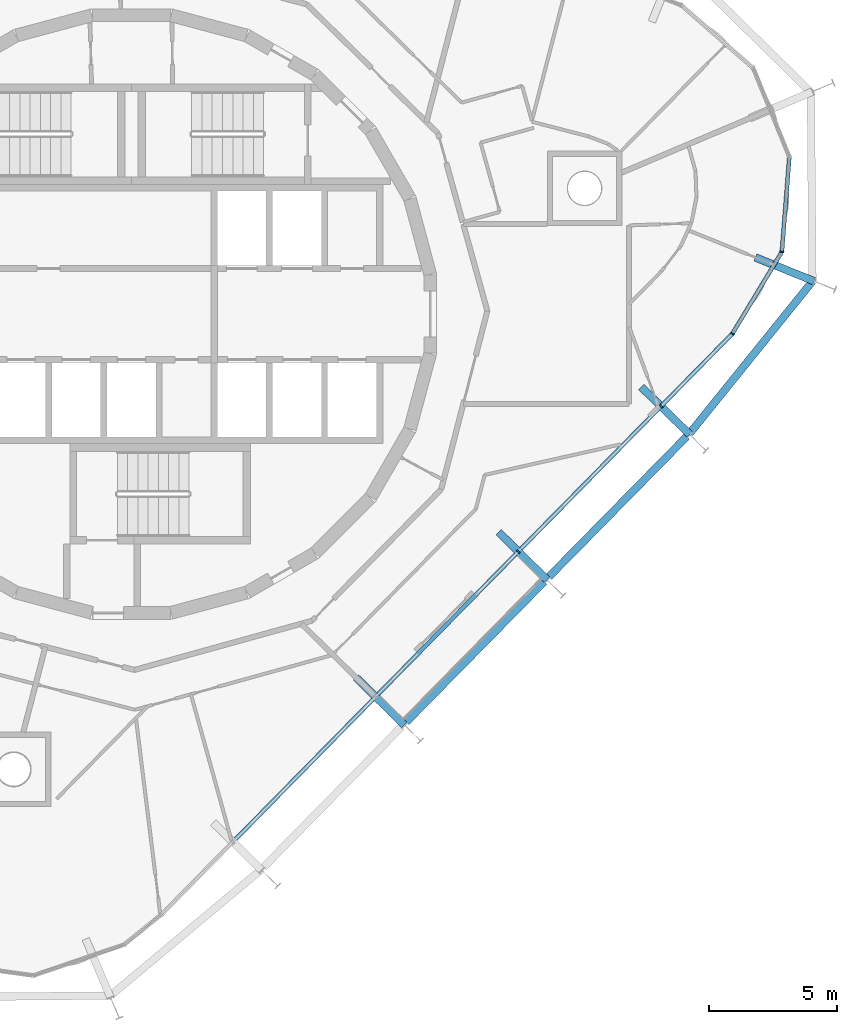
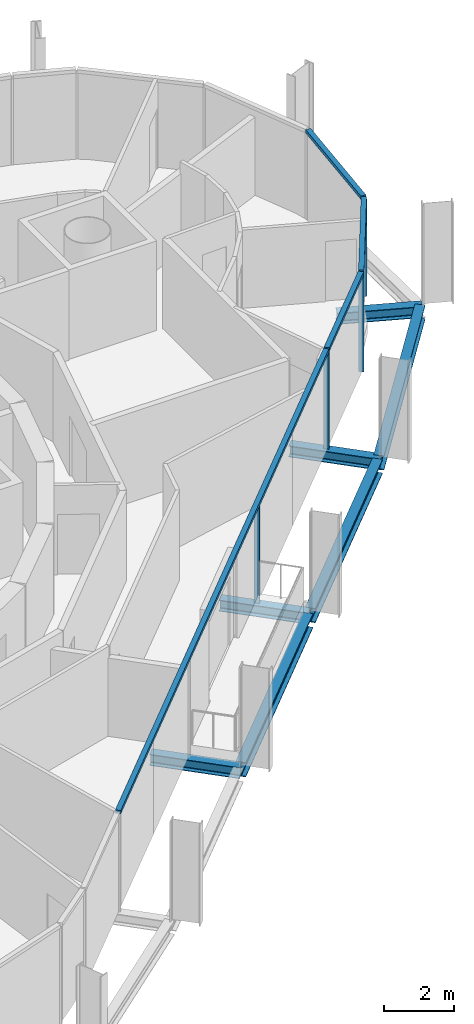
# One storey, part 4 of 15: 8 members, 7 beams, 2 elements without a shape of their own.
"""IFC4 building model written with IfcOpenShell, lengths in metres."""

from ifc_helpers import new_model, si_unit, direction, frame, origin, origin_2d, place, context, subcontext, project, spatial, rectangle, i_section, extrude, material, layer, layer_set, material_profile, profile_set, type_object, element, aggregate, save


model = new_model("IFC4")

# Units and contexts
model_context = context("Model", 3, precision=1e-05, world=origin(), true_north=direction((0.0, 1.0)))
body_context = subcontext(model_context, "Body", "Model", "MODEL_VIEW")
ifc_project = project(units=[si_unit("LENGTHUNIT", "METRE"), si_unit("AREAUNIT", "SQUARE_METRE"), si_unit("VOLUMEUNIT", "CUBIC_METRE"), si_unit("PLANEANGLEUNIT", "RADIAN"), si_unit("MASSUNIT", "GRAM", prefix="KILO")], contexts=[model_context])

# Site, building, storey
site_placement = place(None, origin())
site = spatial("IfcSite", under=ifc_project, at=site_placement, CompositionType="ELEMENT")
building_placement = place(site_placement, origin())
building = spatial("IfcBuilding", under=site, at=building_placement, Name="Spindle Arch Residences", CompositionType="ELEMENT")
storey_placement = place(building_placement, frame((0.0, 0.0, 315.699951171875)))
storey = spatial("IfcBuildingStorey", under=building, at=storey_placement, Name="L81", CompositionType="ELEMENT", Elevation=315.699951171875)

# Curtain wall, members
ifc_material_1 = material(Name="Aluminium bronze unitised frame with tinted glass", Category="aluminium")
ifc_layer_1 = layer(ifc_material_1, 0.159912109375)
ifc_layer_set_1 = layer_set([ifc_layer_1], Name="CW-D corner wall on the fillet arcs")
curtain_wall_type_1 = type_object("IfcCurtainWallType", Name="CW-D corner wall on the fillet arcs", PredefinedType="NOTDEFINED", material=ifc_layer_set_1)
curtain_wall_1_placement = place(storey_placement, origin())
curtain_wall_1 = element("IfcCurtainWall", 1, at=curtain_wall_1_placement, inside=storey, type_object=curtain_wall_type_1, Name="CW-D L81 run 1", PredefinedType="NOTDEFINED")
ifc_material_2 = material(Name="Aluminium bronze anodised mullion", Category="aluminium")
ifc_material_profile_1 = material_profile(ifc_material_2, rectangle(XDim=0.159912109375, YDim=0.06005859375, at=origin_2d()), Name="MU 60x160")
ifc_profile_set_1 = profile_set([ifc_material_profile_1], Name="Aluminium bronze anodised mullion")
member_type_1 = type_object("IfcMemberType", Name="Bronze mullion 60x160", PredefinedType="MULLION", material=ifc_profile_set_1)
member_1_placement = place(storey_placement, frame((20.642333984375, -3.597412109375, -0.3798828125), z_axis=(0.0, 0.0, 1.0), x_axis=(-0.713250449154, 0.7009092643, 0.0)))
member_1 = element("IfcMember", 2, at=member_1_placement, type_object=member_type_1, Name="CW-D mullion 00", PredefinedType="MULLION", context=body_context, shape_type="SweptSolid", body=[
    extrude(rectangle(XDim=0.159912109375, YDim=0.06005859375, at=origin_2d()), origin(), (0.0, 0.0, 1.0), 3.3798828125),
])
member_2_placement = place(storey_placement, frame((23.42578125, -0.76513671875, -0.3798828125), z_axis=(0.0, 0.0, 1.0), x_axis=(-0.855665492936, 0.517529288252, 0.0)))
member_2 = element("IfcMember", 3, at=member_2_placement, type_object=member_type_1, Name="CW-D mullion 01", PredefinedType="MULLION", context=body_context, shape_type="SweptSolid", body=[
    extrude(rectangle(XDim=0.159912109375, YDim=0.06005859375, at=origin_2d()), origin(), (0.0, 0.0, 1.0), 3.3798828125),
])
member_3_placement = place(storey_placement, frame((25.3544921875, 2.423828125, -0.3798828125), z_axis=(0.0, 0.0, 1.0), x_axis=(-0.996917334032, 0.078459091935, 0.0)))
member_3 = element("IfcMember", 4, at=member_3_placement, type_object=member_type_1, Name="CW-D mullion 02", PredefinedType="MULLION", context=body_context, shape_type="SweptSolid", body=[
    extrude(rectangle(XDim=0.159912109375, YDim=0.06005859375, at=origin_2d()), origin(), (0.0, 0.0, 1.0), 3.3798828125),
])

# Curtain wall, member
ifc_material_3 = material(Name="Aluminium bronze unitised frame with tinted glass", Category="aluminium")
ifc_layer_2 = layer(ifc_material_3, 0.159912109375)
ifc_layer_set_2 = layer_set([ifc_layer_2], Name="CW-C typical residential unitised wall")
curtain_wall_type_2 = type_object("IfcCurtainWallType", Name="CW-C typical residential unitised wall", PredefinedType="NOTDEFINED", material=ifc_layer_set_2)
curtain_wall_2_placement = place(storey_placement, origin())
curtain_wall_2 = element("IfcCurtainWall", 5, at=curtain_wall_2_placement, inside=storey, type_object=curtain_wall_type_2, Name="CW-C L81 run 6", PredefinedType="NOTDEFINED")
member_4_placement = place(storey_placement, frame((15.08056640625, -9.257080078125, -0.3798828125), z_axis=(0.0, 0.0, 1.0), x_axis=(-0.713250449154, 0.7009092643, 0.0)))
member_4 = element("IfcMember", 6, at=member_4_placement, type_object=member_type_1, Name="CW-C mullion 00", PredefinedType="MULLION", context=body_context, shape_type="SweptSolid", body=[
    extrude(rectangle(XDim=0.159912109375, YDim=0.06005859375, at=origin_2d()), origin(), (0.0, 0.0, 1.0), 3.3798828125),
])

# Member
ifc_material_4 = material(Name="Aluminium bronze anodised transom", Category="aluminium")
ifc_material_profile_2 = material_profile(ifc_material_4, rectangle(XDim=0.159912109375, YDim=0.1201171875, at=origin_2d()), Name="TR 120x160")
ifc_profile_set_2 = profile_set([ifc_material_profile_2], Name="Aluminium bronze anodised transom")
member_type_2 = type_object("IfcMemberType", Name="Bronze transom 120x160", PredefinedType="USERDEFINED", material=ifc_profile_set_2)
member_5_placement = place(storey_placement, frame((20.663330078125, -3.575927734375, 3.06005859375), z_axis=(0.70089977121, 0.713259777863, 0.0), x_axis=(-0.713259777863, 0.70089977121, 0.0)))
member_5 = element("IfcMember", 7, at=member_5_placement, type_object=member_type_2, Name="CW-D transom 00", ObjectType="TRANSOM", PredefinedType="USERDEFINED", context=body_context, shape_type="SweptSolid", body=[
    extrude(rectangle(XDim=0.159912109375, YDim=0.1201171875, at=origin_2d()), origin(), (0.0, 0.0, 1.0), 3.910888671875),
])

member_6_placement = place(storey_placement, frame((23.441162109375, -0.739501953125, 3.06005859375), z_axis=(0.517517977751, 0.855672333726, 0.0), x_axis=(-0.855672333726, 0.517517977751, 0.0)))
member_6 = element("IfcMember", 8, at=member_6_placement, type_object=member_type_2, Name="CW-D transom 01", ObjectType="TRANSOM", PredefinedType="USERDEFINED", context=body_context, shape_type="SweptSolid", body=[
    extrude(rectangle(XDim=0.159912109375, YDim=0.1201171875, at=origin_2d()), origin(), (0.0, 0.0, 1.0), 3.6669921875),
])

member_7_placement = place(storey_placement, frame((25.356689453125, 2.45361328125, 3.06005859375), z_axis=(0.078498754798, 0.996914211703, 0.0), x_axis=(-0.996914211703, 0.078498754798, 0.0)))
member_7 = element("IfcMember", 9, at=member_7_placement, type_object=member_type_2, Name="CW-D transom 02", ObjectType="TRANSOM", PredefinedType="USERDEFINED", context=body_context, shape_type="SweptSolid", body=[
    extrude(rectangle(XDim=0.159912109375, YDim=0.1201171875, at=origin_2d()), origin(), (0.0, 0.0, 1.0), 3.666748046875),
])

aggregate(curtain_wall_1, [member_1, member_5, member_2, member_6, member_3, member_7])

member_8_placement = place(storey_placement, frame((3.97802734375, -20.55517578125, 3.06005859375), z_axis=(0.700905736119, 0.71325391627, 0.0), x_axis=(-0.71325391627, 0.700905736119, 0.0)))
member_8 = element("IfcMember", 10, at=member_8_placement, type_object=member_type_2, Name="CW-C transom 00", ObjectType="TRANSOM", PredefinedType="USERDEFINED", context=body_context, shape_type="SweptSolid", body=[
    extrude(rectangle(XDim=0.159912109375, YDim=0.1201171875, at=origin_2d()), origin(), (0.0, 0.0, 1.0), 23.745361328125),
])

aggregate(curtain_wall_2, [member_8, member_4])

# Beams
ifc_material_5 = material(Name="Steel S460ML, intumescent coating R 120", Category="steel")
ifc_material_profile_3 = material_profile(ifc_material_5, i_section(OverallWidth=0.300048828125, OverallDepth=0.5, WebThickness=0.014404296875, FlangeThickness=0.028076171875, FilletRadius=0.027099609375, at=origin_2d()), Name="HEB 500")
ifc_profile_set_3 = profile_set([ifc_material_profile_3], Name="Steel S460ML, intumescent coating R 120")
beam_type_1 = type_object("IfcBeamType", Name="Exoskeleton edge beam HEB 500", PredefinedType="BEAM", material=ifc_profile_set_3)
beam_1_placement = place(storey_placement, frame((16.270263671875, -10.24365234375, -0.6298828125), z_axis=(0.700908648812, 0.713251053992, 0.0), x_axis=(-0.713251053992, 0.700908648812, 0.0)))
element("IfcBeam", 11, at=beam_1_placement, inside=storey, type_object=beam_type_1, Name="Exoskeleton edge beam 1", PredefinedType="BEAM", context=body_context, shape_type="SweptSolid", body=[
    extrude(i_section(OverallWidth=0.300048828125, OverallDepth=0.5, WebThickness=0.014404296875, FlangeThickness=0.028076171875, FilletRadius=0.027099609375, at=origin_2d()), origin(), (0.0, 0.0, 1.0), 7.6748046875),
])
beam_2_placement = place(storey_placement, frame((21.763427734375, -4.648681640625, -0.6298828125), z_axis=(0.627986894279, 0.778223914188, 0.0), x_axis=(-0.778223914188, 0.627986894279, 0.0)))
element("IfcBeam", 12, at=beam_2_placement, inside=storey, type_object=beam_type_1, Name="Exoskeleton edge beam 2", PredefinedType="BEAM", context=body_context, shape_type="SweptSolid", body=[
    extrude(i_section(OverallWidth=0.300048828125, OverallDepth=0.5, WebThickness=0.014404296875, FlangeThickness=0.028076171875, FilletRadius=0.027099609375, at=origin_2d()), origin(), (0.0, 0.0, 1.0), 7.611572265625),
])
beam_3_placement = place(storey_placement, frame((10.70849609375, -15.9033203125, -0.6298828125), z_axis=(0.700908648812, 0.713251053992, 0.0), x_axis=(-0.713251053992, 0.700908648812, 0.0)))
element("IfcBeam", 13, at=beam_3_placement, inside=storey, type_object=beam_type_1, Name="Exoskeleton edge beam 20", PredefinedType="BEAM", context=body_context, shape_type="SweptSolid", body=[
    extrude(i_section(OverallWidth=0.300048828125, OverallDepth=0.5, WebThickness=0.014404296875, FlangeThickness=0.028076171875, FilletRadius=0.027099609375, at=origin_2d()), origin(), (0.0, 0.0, 1.0), 7.6748046875),
])
ifc_material_6 = material(Name="Steel S460ML, intumescent coating R 120", Category="steel")
ifc_material_profile_4 = material_profile(ifc_material_6, i_section(OverallWidth=0.300048828125, OverallDepth=0.389892578125, WebThickness=0.010986328125, FlangeThickness=0.01904296875, FilletRadius=0.027099609375, at=origin_2d()), Name="HEA 400")
ifc_profile_set_4 = profile_set([ifc_material_profile_4], Name="Steel S460ML, intumescent coating R 120")
beam_type_2 = type_object("IfcBeamType", Name="Floor outrigger HEA 400", PredefinedType="BEAM", material=ifc_profile_set_4)
for number, where, z_axis, x_axis, name in (
    (14, (16.200439453125, -10.357421875, -0.574951171875), (-0.713252393258, 0.70090728596, 0.0), (-0.70090728596, -0.713252393258, 0.0), "Floor outrigger 1"),
    (15, (21.76220703125, -4.69775390625, -0.574951171875), (-0.713252393258, 0.70090728596, 0.0), (-0.70090728596, -0.713252393258, 0.0), "Floor outrigger 2"),
):
    element("IfcBeam", number, at=place(storey_placement, frame(where, z_axis=z_axis, x_axis=x_axis)), inside=storey, type_object=beam_type_2, Name=name, PredefinedType="BEAM", context=body_context, shape_type="SweptSolid", body=[
        extrude(i_section(OverallWidth=0.300048828125, OverallDepth=0.389892578125, WebThickness=0.010986328125, FlangeThickness=0.01904296875, FilletRadius=0.027099609375, at=origin_2d()), origin(), (0.0, 0.0, 1.0), 2.650146484375),
    ])
beam_4_placement = place(storey_placement, frame((26.609130859375, 1.281494140625, -0.574951171875), z_axis=(-0.927112260651, 0.374783745846, 0.0), x_axis=(-0.374783745846, -0.927112260651, 0.0)))
element("IfcBeam", 16, at=beam_4_placement, inside=storey, type_object=beam_type_2, Name="Floor outrigger 3", PredefinedType="BEAM", context=body_context, shape_type="SweptSolid", body=[
    extrude(i_section(OverallWidth=0.300048828125, OverallDepth=0.389892578125, WebThickness=0.010986328125, FlangeThickness=0.01904296875, FilletRadius=0.027099609375, at=origin_2d()), origin(), (0.0, 0.0, 1.0), 2.466796875),
])
beam_5_placement = place(storey_placement, frame((10.638671875, -16.01708984375, -0.574951171875), z_axis=(-0.713298451505, 0.700860413407, 0.0), x_axis=(-0.700860413407, -0.713298451505, 0.0)))
element("IfcBeam", 17, at=beam_5_placement, inside=storey, type_object=beam_type_2, Name="Floor outrigger 20", PredefinedType="BEAM", context=body_context, shape_type="SweptSolid", body=[
    extrude(i_section(OverallWidth=0.300048828125, OverallDepth=0.389892578125, WebThickness=0.010986328125, FlangeThickness=0.01904296875, FilletRadius=0.027099609375, at=origin_2d()), origin(), (0.0, 0.0, 1.0), 2.64990234375),
])

save(model, "model.ifc")
